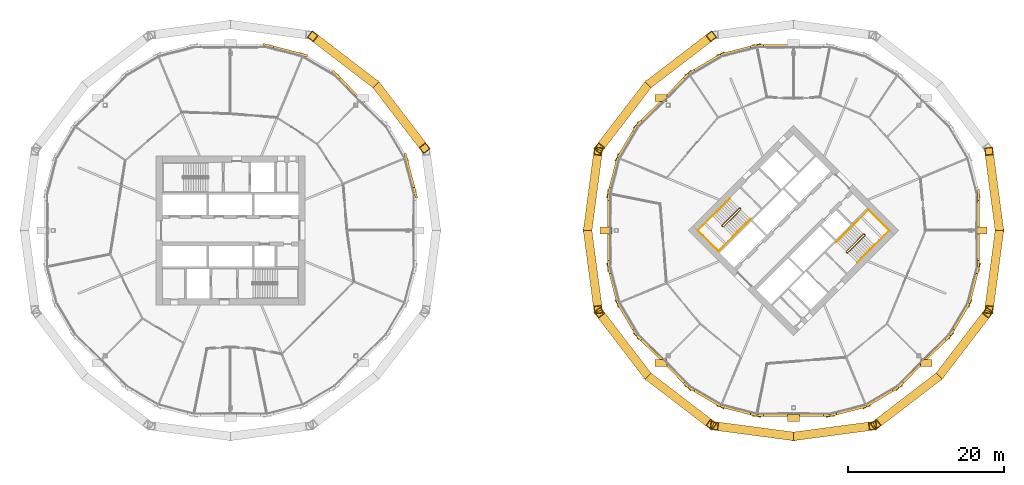
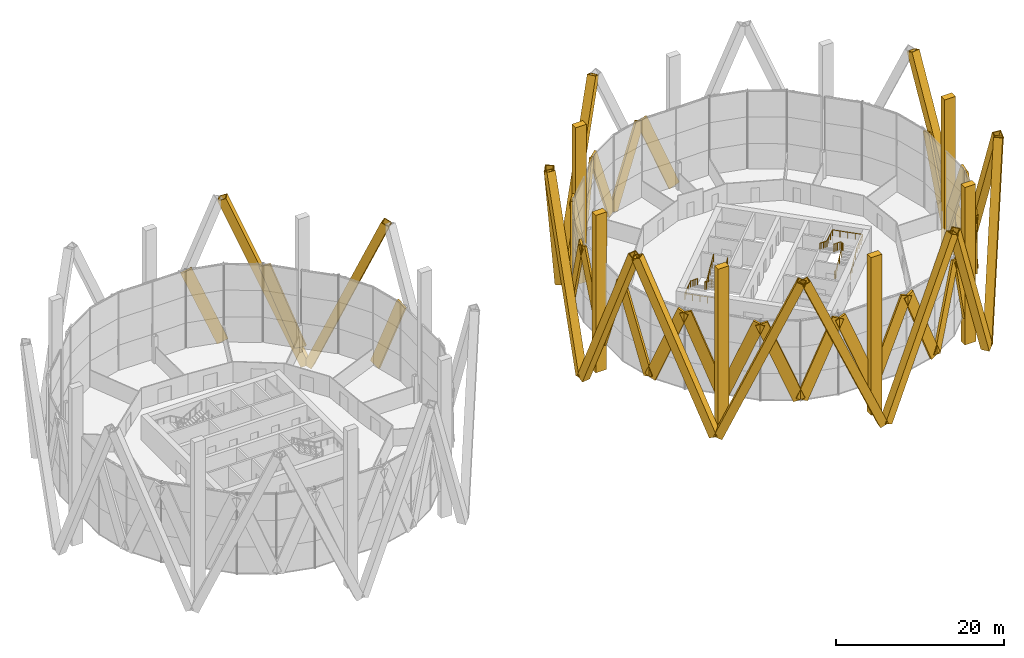
# One storey, part 25 of 26: 48 coverings, 4 railings.
"""IFC4 building model written with IfcOpenShell, lengths in metres."""

from ifc_helpers import new_model, si_unit, direction, frame, origin, origin_2d, place, context, subcontext, project, spatial, rectangle, hollow_rectangle, circle, extrude, material, material_profile, profile_set, type_object, element, save


model = new_model("IFC4")

# Units and contexts
model_context = context("Model", 3, precision=1e-05, world=origin(), true_north=direction((0.0, 1.0)))
body_context = subcontext(model_context, "Body", "Model", "MODEL_VIEW")
ifc_project = project(units=[si_unit("LENGTHUNIT", "METRE"), si_unit("AREAUNIT", "SQUARE_METRE"), si_unit("VOLUMEUNIT", "CUBIC_METRE"), si_unit("PLANEANGLEUNIT", "RADIAN"), si_unit("MASSUNIT", "GRAM", prefix="KILO")], contexts=[model_context])

# Site, building, storey
site_placement = place(None, origin())
site = spatial("IfcSite", under=ifc_project, at=site_placement, CompositionType="ELEMENT")
building_placement = place(site_placement, origin())
building = spatial("IfcBuilding", under=site, at=building_placement, Name="Ogive Gate Towers", CompositionType="ELEMENT")
storey_placement = place(building_placement, frame((0.0, 0.0, 76.199951171875)))
storey = spatial("IfcBuildingStorey", under=building, at=storey_placement, Name="L17", CompositionType="ELEMENT", Elevation=76.199951171875)

# Coverings
ifc_material_1 = material(Name="Pale metal aluminium", Category="aluminium")
ifc_material_profile_1 = material_profile(ifc_material_1, rectangle(XDim=1.5, YDim=0.89990234375, at=origin_2d()), Name="1500 x 900 pale metal aluminium")
ifc_profile_set_1 = profile_set([ifc_material_profile_1], Name="Pale metal aluminium")
covering_type_1 = type_object("IfcCoveringType", Name="Crease colonnette 1500 x 900", PredefinedType="CLADDING", material=ifc_profile_set_1)
for number, where, z_axis, x_axis, name in (
    (1, (59.989990234375, 0.0, -4.099853515625), (-0.000437109491, 0.0, 0.999999904468), (1.0, 0.0, 0.0), "Crease colonnette"),
    (2, (19.03662109375, 16.96337890625, -4.099853515625), (0.000309175006, -0.000309175006, 0.999999904411), (1.0, 0.0, 0.0), "Crease colonnette"),
    (3, (12.010009765625, 0.0, -4.099853515625), (0.000437109491, 0.0, 0.999999904468), (1.0, 0.0, 0.0), "Crease colonnette"),
    (4, (19.03662109375, -16.96337890625, -4.099853515625), (0.000309175006, 0.000309175006, 0.999999904411), (1.0, 0.0, 0.0), "Crease colonnette"),
    (5, (36.0, -23.989990234375, -4.099853515625), (0.0, 0.000437109491, 0.999999904468), (1.0, 0.0, 0.0), "Crease colonnette"),
    (6, (52.96337890625, -16.96337890625, -4.099853515625), (-0.000309175006, 0.000309175006, 0.999999904411), (1.0, 0.0, 0.0), "Crease colonnette"),
):
    element("IfcCovering", number, at=place(storey_placement, frame(where, z_axis=z_axis, x_axis=x_axis)), inside=storey, type_object=covering_type_1, Name=name, PredefinedType="CLADDING", context=body_context, shape_type="SweptSolid", body=[
        extrude(rectangle(XDim=1.5, YDim=0.89990234375, at=origin_2d()), origin(), (0.0, 0.0, 1.0), 22.89990234375),
    ])
ifc_material_2 = material(Name="Pale metal aluminium cladding", Category="aluminium")
ifc_material_profile_2 = material_profile(ifc_material_2, hollow_rectangle(XDim=1.10009765625, YDim=1.10009765625, WallThickness=0.10009765625, at=origin_2d()), Name="1100 x 1100 pale metal casing")
ifc_profile_set_2 = profile_set([ifc_material_profile_2], Name="Pale metal aluminium cladding")
covering_type_2 = type_object("IfcCoveringType", Name="Diagrid casing 1100 x 1100", PredefinedType="CLADDING", material=ifc_profile_set_2)
for number, where, z_axis, x_axis, name in (
    (7, (-17.25, 18.44580078125, -4.29443359375), (0.239952815267, -0.313039732021, 0.918928056282), (0.793660605623, 0.608360783649, 0.0), "Diagrid casing"),
    (8, (-17.55419921875, 18.75, -4.29443359375), (-0.313039732021, 0.239952815267, 0.918928056282), (-0.608360783649, -0.793660605623, 0.0), "Diagrid casing"),
    (9, (62.301513671875, -0.215087890625, -4.29443359375), (-0.051682082451, -0.391020952239, 0.918929582321), (0.991378063064, -0.131032576392, 0.0), "Diagrid casing"),
    (10, (62.301513671875, 0.215087890625, -4.29443359375), (-0.051682082451, 0.391020952239, 0.918929582321), (-0.991378063064, -0.131032576392, 0.0), "Diagrid casing"),
    (11, (17.55419921875, 18.75, -4.29443359375), (0.313039732021, 0.239952815267, 0.918928056282), (-0.608360783649, 0.793660605623, 0.0), "Diagrid casing"),
    (12, (17.25, 18.44580078125, -4.29443359375), (-0.239952815267, -0.313039732021, 0.918928056282), (0.793660605623, -0.608360783649, 0.0), "Diagrid casing"),
    (13, (9.698486328125, 0.215087890625, -4.29443359375), (0.051682082451, 0.391020952239, 0.918929582321), (-0.991378063064, 0.131032576392, 0.0), "Diagrid casing"),
    (14, (9.698486328125, -0.215087890625, -4.29443359375), (0.051682082451, -0.391020952239, 0.918929582321), (0.991378063064, 0.131032576392, 0.0), "Diagrid casing"),
    (15, (17.25, -18.44580078125, -4.29443359375), (-0.239952815267, 0.313039732021, 0.918928056282), (-0.793660605623, -0.608360783649, 0.0), "Diagrid casing"),
    (16, (17.55419921875, -18.75, -4.29443359375), (0.313039732021, -0.239952815267, 0.918928056282), (0.608360783649, 0.793660605623, 0.0), "Diagrid casing"),
    (17, (35.784912109375, -26.301513671875, -4.29443359375), (-0.391020952239, 0.051682082451, 0.918929582321), (-0.131032576392, -0.991378063064, 0.0), "Diagrid casing"),
    (18, (36.215087890625, -26.301513671875, -4.29443359375), (0.391020952239, 0.051682082451, 0.918929582321), (-0.131032576392, 0.991378063064, 0.0), "Diagrid casing"),
    (19, (54.44580078125, -18.75, -4.29443359375), (-0.313039732021, -0.239952815267, 0.918928056282), (0.608360783649, -0.793660605623, 0.0), "Diagrid casing"),
    (20, (54.75, -18.44580078125, -4.29443359375), (0.239952815267, 0.313039732021, 0.918928056282), (-0.793660605623, 0.608360783649, 0.0), "Diagrid casing"),
):
    element("IfcCovering", number, at=place(storey_placement, frame(where, z_axis=z_axis, x_axis=x_axis)), inside=storey, type_object=covering_type_2, Name=name, PredefinedType="CLADDING", context=body_context, shape_type="SweptSolid", body=[
        extrude(hollow_rectangle(XDim=1.10009765625, YDim=1.10009765625, WallThickness=0.10009765625, at=origin_2d()), origin(), (0.0, 0.0, 1.0), 25.34375),
    ])
ifc_material_profile_3 = material_profile(ifc_material_1, rectangle(XDim=0.300048828125, YDim=1.5, at=origin_2d()), Name="1500 x 300 pale metal aluminium")
ifc_profile_set_3 = profile_set([ifc_material_profile_3], Name="Pale metal aluminium")
covering_type_3 = type_object("IfcCoveringType", Name="Facade fin 1500 x 300", PredefinedType="CLADDING", material=ifc_profile_set_3)
covering_1_placement = place(storey_placement, frame((-13.501708984375, 9.164306640625, 0.032470703125), z_axis=(0.093946619678, -0.364760457467, 0.926349740281), x_axis=(0.968396120689, 0.249417227623, 0.0)))
element("IfcCovering", 21, at=covering_1_placement, inside=storey, type_object=covering_type_3, Name="Facade fin", PredefinedType="CLADDING", context=body_context, shape_type="SweptSolid", body=[
    extrude(rectangle(XDim=0.300048828125, YDim=1.5, at=origin_2d()), origin(), (0.0, 0.0, 1.0), 11.91259765625),
])
covering_2_placement = place(storey_placement, frame((-19.38232421875, 16.7734375, 0.029296875), z_axis=(-0.260935492207, 0.265778271081, 0.928048802341), x_axis=(-0.713577991802, -0.700575798622, 0.0)))
element("IfcCovering", 22, at=covering_2_placement, inside=storey, type_object=covering_type_3, Name="Facade fin", PredefinedType="CLADDING", context=body_context, shape_type="SweptSolid", body=[
    extrude(rectangle(XDim=0.300048828125, YDim=1.5, at=origin_2d()), origin(), (0.0, 0.0, 1.0), 11.8974609375),
])
covering_3_placement = place(storey_placement, frame((-26.835693359375, 22.498291015625, 0.032470703125), z_axis=(-0.364760457467, 0.093946619678, 0.926349740281), x_axis=(-0.249417227623, -0.968396120689, 0.0)))
element("IfcCovering", 23, at=covering_3_placement, inside=storey, type_object=covering_type_3, Name="Facade fin", PredefinedType="CLADDING", context=body_context, shape_type="SweptSolid", body=[
    extrude(rectangle(XDim=0.300048828125, YDim=1.5, at=origin_2d()), origin(), (0.0, 0.0, 1.0), 11.91259765625),
])
for number, where, z_axis, x_axis, name in (
    (24, (59.611083984375, 0.110107421875, 0.029296875), (0.003426855882, 0.372460246193, 0.928041821075), (-0.999957677213, 0.009200205614, 0.0), "Facade fin"),
    (25, (35.889892578125, 23.611083984375, 0.029296875), (-0.372460246193, 0.003426855882, 0.928041821075), (-0.009200205614, -0.999957677213, 0.0), "Facade fin"),
):
    element("IfcCovering", number, at=place(storey_placement, frame(where, z_axis=z_axis, x_axis=x_axis)), inside=storey, type_object=covering_type_3, Name=name, PredefinedType="CLADDING", context=body_context, shape_type="SweptSolid", body=[
        extrude(rectangle(XDim=0.300048828125, YDim=1.5, at=origin_2d()), origin(), (0.0, 0.0, 1.0), 11.897705078125),
    ])
for number, where, z_axis, x_axis, name in (
    (26, (26.835693359375, 22.498291015625, 0.032470703125), (0.364760457467, 0.093946619678, 0.926349740281), (-0.249417227623, 0.968396120689, 0.0), "Facade fin"),
    (27, (26.5712890625, 22.388916015625, 0.032470703125), (-0.324346005819, -0.191500636824, 0.92635153943), (0.508417643815, -0.861110619757, 0.0), "Facade fin"),
):
    element("IfcCovering", number, at=place(storey_placement, frame(where, z_axis=z_axis, x_axis=x_axis)), inside=storey, type_object=covering_type_3, Name=name, PredefinedType="CLADDING", context=body_context, shape_type="SweptSolid", body=[
        extrude(rectangle(XDim=0.300048828125, YDim=1.5, at=origin_2d()), origin(), (0.0, 0.0, 1.0), 11.91259765625),
    ])
for number, where, z_axis, x_axis, name in (
    (28, (19.38232421875, 16.7734375, 0.029296875), (0.260935492207, 0.265778271081, 0.928048802341), (-0.713577991802, 0.700575798622, 0.0), "Facade fin"),
    (29, (19.2265625, 16.61767578125, 0.029296875), (-0.265778271081, -0.260935492207, 0.928048802341), (0.700575798622, -0.713577991802, 0.0), "Facade fin"),
):
    element("IfcCovering", number, at=place(storey_placement, frame(where, z_axis=z_axis, x_axis=x_axis)), inside=storey, type_object=covering_type_3, Name=name, PredefinedType="CLADDING", context=body_context, shape_type="SweptSolid", body=[
        extrude(rectangle(XDim=0.300048828125, YDim=1.5, at=origin_2d()), origin(), (0.0, 0.0, 1.0), 11.8974609375),
    ])
for number, where, z_axis, x_axis, name in (
    (30, (13.611083984375, 9.4287109375, 0.032470703125), (0.191500636824, 0.324346005819, 0.92635153943), (-0.861110619757, 0.508417643815, 0.0), "Facade fin"),
    (31, (13.501708984375, 9.164306640625, 0.032470703125), (-0.093946619678, -0.364760457467, 0.926349740281), (0.968396120689, -0.249417227623, 0.0), "Facade fin"),
):
    element("IfcCovering", number, at=place(storey_placement, frame(where, z_axis=z_axis, x_axis=x_axis)), inside=storey, type_object=covering_type_3, Name=name, PredefinedType="CLADDING", context=body_context, shape_type="SweptSolid", body=[
        extrude(rectangle(XDim=0.300048828125, YDim=1.5, at=origin_2d()), origin(), (0.0, 0.0, 1.0), 11.91259765625),
    ])
for number, where, z_axis, x_axis, name in (
    (32, (12.388916015625, 0.110107421875, 0.029296875), (-0.003426855882, 0.372460246193, 0.928041821075), (-0.999957677213, -0.009200205614, 0.0), "Facade fin"),
    (33, (12.388916015625, -0.110107421875, 0.029296875), (-0.003426855882, -0.372460246193, 0.928041821075), (0.999957677213, -0.009200205614, 0.0), "Facade fin"),
):
    element("IfcCovering", number, at=place(storey_placement, frame(where, z_axis=z_axis, x_axis=x_axis)), inside=storey, type_object=covering_type_3, Name=name, PredefinedType="CLADDING", context=body_context, shape_type="SweptSolid", body=[
        extrude(rectangle(XDim=0.300048828125, YDim=1.5, at=origin_2d()), origin(), (0.0, 0.0, 1.0), 11.897705078125),
    ])
for number, where, z_axis, x_axis, name in (
    (34, (13.501708984375, -9.164306640625, 0.032470703125), (-0.093946619678, 0.364760457467, 0.926349740281), (-0.968396120689, -0.249417227623, 0.0), "Facade fin"),
    (35, (13.611083984375, -9.4287109375, 0.032470703125), (0.191500636824, -0.324346005819, 0.92635153943), (0.861110619757, 0.508417643815, 0.0), "Facade fin"),
):
    element("IfcCovering", number, at=place(storey_placement, frame(where, z_axis=z_axis, x_axis=x_axis)), inside=storey, type_object=covering_type_3, Name=name, PredefinedType="CLADDING", context=body_context, shape_type="SweptSolid", body=[
        extrude(rectangle(XDim=0.300048828125, YDim=1.5, at=origin_2d()), origin(), (0.0, 0.0, 1.0), 11.91259765625),
    ])
for number, where, z_axis, x_axis, name in (
    (36, (19.2265625, -16.61767578125, 0.029296875), (-0.265778271081, 0.260935492207, 0.928048802341), (-0.700575798622, -0.713577991802, 0.0), "Facade fin"),
    (37, (19.38232421875, -16.7734375, 0.029296875), (0.260935492207, -0.265778271081, 0.928048802341), (0.713577991802, 0.700575798622, 0.0), "Facade fin"),
):
    element("IfcCovering", number, at=place(storey_placement, frame(where, z_axis=z_axis, x_axis=x_axis)), inside=storey, type_object=covering_type_3, Name=name, PredefinedType="CLADDING", context=body_context, shape_type="SweptSolid", body=[
        extrude(rectangle(XDim=0.300048828125, YDim=1.5, at=origin_2d()), origin(), (0.0, 0.0, 1.0), 11.8974609375),
    ])
for number, where, z_axis, x_axis, name in (
    (38, (26.5712890625, -22.388916015625, 0.032470703125), (-0.324346005819, 0.191500636824, 0.92635153943), (-0.508417643815, -0.861110619757, 0.0), "Facade fin"),
    (39, (26.835693359375, -22.498291015625, 0.032470703125), (0.364760457467, -0.093946619678, 0.926349740281), (0.249417227623, 0.968396120689, 0.0), "Facade fin"),
):
    element("IfcCovering", number, at=place(storey_placement, frame(where, z_axis=z_axis, x_axis=x_axis)), inside=storey, type_object=covering_type_3, Name=name, PredefinedType="CLADDING", context=body_context, shape_type="SweptSolid", body=[
        extrude(rectangle(XDim=0.300048828125, YDim=1.5, at=origin_2d()), origin(), (0.0, 0.0, 1.0), 11.91259765625),
    ])
for number, where, z_axis, x_axis, name in (
    (40, (35.889892578125, -23.611083984375, 0.029296875), (-0.372460246193, -0.003426855882, 0.928041821075), (0.009200205614, -0.999957677213, 0.0), "Facade fin"),
    (41, (36.110107421875, -23.611083984375, 0.029296875), (0.372460246193, -0.003426855882, 0.928041821075), (0.009200205614, 0.999957677213, 0.0), "Facade fin"),
):
    element("IfcCovering", number, at=place(storey_placement, frame(where, z_axis=z_axis, x_axis=x_axis)), inside=storey, type_object=covering_type_3, Name=name, PredefinedType="CLADDING", context=body_context, shape_type="SweptSolid", body=[
        extrude(rectangle(XDim=0.300048828125, YDim=1.5, at=origin_2d()), origin(), (0.0, 0.0, 1.0), 11.897705078125),
    ])
for number, where, z_axis, x_axis, name in (
    (42, (45.164306640625, -22.498291015625, 0.032470703125), (-0.364760457467, -0.093946619678, 0.926349740281), (0.249417227623, -0.968396120689, 0.0), "Facade fin"),
    (43, (45.4287109375, -22.388916015625, 0.032470703125), (0.324346005819, 0.191500636824, 0.92635153943), (-0.508417643815, 0.861110619757, 0.0), "Facade fin"),
):
    element("IfcCovering", number, at=place(storey_placement, frame(where, z_axis=z_axis, x_axis=x_axis)), inside=storey, type_object=covering_type_3, Name=name, PredefinedType="CLADDING", context=body_context, shape_type="SweptSolid", body=[
        extrude(rectangle(XDim=0.300048828125, YDim=1.5, at=origin_2d()), origin(), (0.0, 0.0, 1.0), 11.91259765625),
    ])
for number, where, z_axis, x_axis, name in (
    (44, (52.61767578125, -16.7734375, 0.029296875), (-0.260935492207, -0.265778271081, 0.928048802341), (0.713577991802, -0.700575798622, 0.0), "Facade fin"),
    (45, (52.7734375, -16.61767578125, 0.029296875), (0.265778271081, 0.260935492207, 0.928048802341), (-0.700575798622, 0.713577991802, 0.0), "Facade fin"),
):
    element("IfcCovering", number, at=place(storey_placement, frame(where, z_axis=z_axis, x_axis=x_axis)), inside=storey, type_object=covering_type_3, Name=name, PredefinedType="CLADDING", context=body_context, shape_type="SweptSolid", body=[
        extrude(rectangle(XDim=0.300048828125, YDim=1.5, at=origin_2d()), origin(), (0.0, 0.0, 1.0), 11.8974609375),
    ])
for number, where, z_axis, x_axis, name in (
    (46, (58.388916015625, -9.4287109375, 0.032470703125), (-0.191500636824, -0.324346005819, 0.92635153943), (0.861110619757, -0.508417643815, 0.0), "Facade fin"),
    (47, (58.498291015625, -9.164306640625, 0.032470703125), (0.093946619678, 0.364760457467, 0.926349740281), (-0.968396120689, 0.249417227623, 0.0), "Facade fin"),
):
    element("IfcCovering", number, at=place(storey_placement, frame(where, z_axis=z_axis, x_axis=x_axis)), inside=storey, type_object=covering_type_3, Name=name, PredefinedType="CLADDING", context=body_context, shape_type="SweptSolid", body=[
        extrude(rectangle(XDim=0.300048828125, YDim=1.5, at=origin_2d()), origin(), (0.0, 0.0, 1.0), 11.91259765625),
    ])
covering_4_placement = place(storey_placement, frame((59.611083984375, -0.110107421875, 0.029296875), z_axis=(0.003426855882, -0.372460246193, 0.928041821075), x_axis=(0.999957677213, 0.009200205614, 0.0)))
element("IfcCovering", 48, at=covering_4_placement, inside=storey, type_object=covering_type_3, Name="Facade fin", PredefinedType="CLADDING", context=body_context, shape_type="SweptSolid", body=[
    extrude(rectangle(XDim=0.300048828125, YDim=1.5, at=origin_2d()), origin(), (0.0, 0.0, 1.0), 11.897705078125),
])

# Railings
ifc_material_3 = material(Name="Stainless steel", Category="steel")
railing_type_1 = type_object("IfcRailingType", Name="Stair guard 1100", PredefinedType="GUARDRAIL", material=ifc_material_3)
railing_1_placement = place(storey_placement, frame((29.15869140625, 2.8603515625, 0.0)))
element("IfcRailing", 49, at=railing_1_placement, inside=storey, type_object=railing_type_1, Name="L17 ST1 stair guard 1", PredefinedType="GUARDRAIL", context=body_context, shape_type="SweptSolid", body=[
    extrude(circle(Radius=0.02392578125, at=origin_2d()), frame((0.0, 0.0, 1.076171875), z_axis=(0.707106781187, -0.707106781187, 0.0), x_axis=(0.707106781187, 0.707106781187, 0.0)), (0.0, 0.0, 1.0), 0.14501953125),
    extrude(circle(Radius=0.02392578125, at=origin_2d()), frame((0.1025390625, -0.1025390625, 1.076171875), z_axis=(-0.645571447971, 0.382425963537, 0.661050594114), x_axis=(-0.509669330572, -0.860370369942, 0.0)), (0.0, 0.0, 1.0), 0.26806640625),
    extrude(circle(Radius=0.02392578125, at=origin_2d()), frame((-0.070556640625, 0.0, 1.25341796875), z_axis=(-0.61558473135, -0.61558473135, 0.49204763698), x_axis=(0.707106781187, -0.707106781187, 0.0)), (0.0, 0.0, 1.0), 3.602783203125),
    extrude(circle(Radius=0.02392578125, at=origin_2d()), frame((-2.288330078125, -2.2177734375, 3.02587890625), z_axis=(0.0, -1.0, 0.0), x_axis=(1.0, 0.0, 0.0)), (0.0, 0.0, 1.0), 0.07080078125),
    extrude(circle(Radius=0.02392578125, at=origin_2d()), frame((-2.288330078125, -2.28857421875, 3.02587890625), z_axis=(0.707106781187, -0.707106781187, 0.0), x_axis=(0.707106781187, 0.707106781187, 0.0)), (0.0, 0.0, 1.0), 0.14501953125),
    extrude(circle(Radius=0.02392578125, at=origin_2d()), frame((-2.185791015625, -2.39111328125, 3.02587890625), z_axis=(0.369406379806, 0.0, 0.92926795197), x_axis=(0.0, 1.0, 0.0)), (0.0, 0.0, 1.0), 0.19091796875),
    extrude(circle(Radius=0.02392578125, at=origin_2d()), frame((-2.115234375, -2.39111328125, 3.20361328125), z_axis=(0.61558473135, 0.61558473135, 0.49204763698), x_axis=(-0.707106781187, 0.707106781187, 0.0)), (0.0, 0.0, 1.0), 3.602783203125),
    extrude(circle(Radius=0.02099609375, at=origin_2d()), origin(), (0.0, 0.0, 1.0), 1.052001953125),
    extrude(circle(Radius=0.02099609375, at=origin_2d()), frame((0.1025390625, -0.1025390625, 0.0)), (0.0, 0.0, 1.0), 1.052001953125),
    extrude(circle(Radius=0.02099609375, at=origin_2d()), frame((-0.070556640625, 0.0, 0.17724609375)), (0.0, 0.0, 1.0), 1.052001953125),
    extrude(circle(Radius=0.02099609375, at=origin_2d()), frame((-0.625, -0.554443359375, 0.620361328125)), (0.0, 0.0, 1.0), 1.052001953125),
    extrude(circle(Radius=0.02099609375, at=origin_2d()), frame((-1.179443359375, -1.10888671875, 1.0634765625)), (0.0, 0.0, 1.0), 1.052001953125),
    extrude(circle(Radius=0.02099609375, at=origin_2d()), frame((-1.73388671875, -1.663330078125, 1.5068359375)), (0.0, 0.0, 1.0), 1.052001953125),
    extrude(circle(Radius=0.02099609375, at=origin_2d()), frame((-2.288330078125, -2.2177734375, 1.949951171875)), (0.0, 0.0, 1.0), 1.052001953125),
    extrude(circle(Radius=0.02099609375, at=origin_2d()), frame((-2.288330078125, -2.28857421875, 1.949951171875)), (0.0, 0.0, 1.0), 1.052001953125),
    extrude(circle(Radius=0.02099609375, at=origin_2d()), frame((-2.185791015625, -2.39111328125, 1.949951171875)), (0.0, 0.0, 1.0), 1.052001953125),
    extrude(circle(Radius=0.02099609375, at=origin_2d()), frame((-2.115234375, -2.39111328125, 2.12744140625)), (0.0, 0.0, 1.0), 1.052001953125),
    extrude(circle(Radius=0.02099609375, at=origin_2d()), frame((-1.560791015625, -1.836669921875, 2.570556640625)), (0.0, 0.0, 1.0), 1.052001953125),
    extrude(circle(Radius=0.02099609375, at=origin_2d()), frame((-1.00634765625, -1.2822265625, 3.013671875)), (0.0, 0.0, 1.0), 1.052001953125),
    extrude(circle(Radius=0.02099609375, at=origin_2d()), frame((-0.451904296875, -0.727783203125, 3.45703125)), (0.0, 0.0, 1.0), 1.052001953125),
    extrude(circle(Radius=0.02099609375, at=origin_2d()), frame((0.1025390625, -0.17333984375, 3.900146484375)), (0.0, 0.0, 1.0), 1.052001953125),
])
railing_2_placement = place(storey_placement, frame((42.84130859375, -2.8603515625, 0.0)))
element("IfcRailing", 50, at=railing_2_placement, inside=storey, type_object=railing_type_1, Name="L17 ST2 stair guard 1", PredefinedType="GUARDRAIL", context=body_context, shape_type="SweptSolid", body=[
    extrude(circle(Radius=0.02392578125, at=origin_2d()), frame((0.0, 0.0, 1.076171875), z_axis=(-0.707106781187, 0.707106781187, 0.0), x_axis=(-0.707106781187, -0.707106781187, 0.0)), (0.0, 0.0, 1.0), 0.14501953125),
    extrude(circle(Radius=0.02392578125, at=origin_2d()), frame((-0.1025390625, 0.1025390625, 1.076171875), z_axis=(0.645571447971, -0.382425963537, 0.661050594114), x_axis=(0.509669330572, 0.860370369942, 0.0)), (0.0, 0.0, 1.0), 0.26806640625),
    extrude(circle(Radius=0.02392578125, at=origin_2d()), frame((0.070556640625, 0.0, 1.25341796875), z_axis=(0.61558473135, 0.61558473135, 0.49204763698), x_axis=(-0.707106781187, 0.707106781187, 0.0)), (0.0, 0.0, 1.0), 3.602783203125),
    extrude(circle(Radius=0.02392578125, at=origin_2d()), frame((2.288330078125, 2.2177734375, 3.02587890625), z_axis=(0.0, 1.0, 0.0), x_axis=(-1.0, 0.0, 0.0)), (0.0, 0.0, 1.0), 0.07080078125),
    extrude(circle(Radius=0.02392578125, at=origin_2d()), frame((2.288330078125, 2.28857421875, 3.02587890625), z_axis=(-0.707106781187, 0.707106781187, 0.0), x_axis=(-0.707106781187, -0.707106781187, 0.0)), (0.0, 0.0, 1.0), 0.14501953125),
    extrude(circle(Radius=0.02392578125, at=origin_2d()), frame((2.185791015625, 2.39111328125, 3.02587890625), z_axis=(-0.369406379806, 0.0, 0.92926795197), x_axis=(0.0, -1.0, 0.0)), (0.0, 0.0, 1.0), 0.19091796875),
    extrude(circle(Radius=0.02392578125, at=origin_2d()), frame((2.115234375, 2.39111328125, 3.20361328125), z_axis=(-0.61558473135, -0.61558473135, 0.49204763698), x_axis=(0.707106781187, -0.707106781187, 0.0)), (0.0, 0.0, 1.0), 3.602783203125),
    extrude(circle(Radius=0.02099609375, at=origin_2d()), origin(), (0.0, 0.0, 1.0), 1.052001953125),
    extrude(circle(Radius=0.02099609375, at=origin_2d()), frame((-0.1025390625, 0.1025390625, 0.0)), (0.0, 0.0, 1.0), 1.052001953125),
    extrude(circle(Radius=0.02099609375, at=origin_2d()), frame((0.070556640625, 0.0, 0.17724609375)), (0.0, 0.0, 1.0), 1.052001953125),
    extrude(circle(Radius=0.02099609375, at=origin_2d()), frame((0.625, 0.554443359375, 0.620361328125)), (0.0, 0.0, 1.0), 1.052001953125),
    extrude(circle(Radius=0.02099609375, at=origin_2d()), frame((1.179443359375, 1.10888671875, 1.0634765625)), (0.0, 0.0, 1.0), 1.052001953125),
    extrude(circle(Radius=0.02099609375, at=origin_2d()), frame((1.73388671875, 1.663330078125, 1.5068359375)), (0.0, 0.0, 1.0), 1.052001953125),
    extrude(circle(Radius=0.02099609375, at=origin_2d()), frame((2.288330078125, 2.2177734375, 1.949951171875)), (0.0, 0.0, 1.0), 1.052001953125),
    extrude(circle(Radius=0.02099609375, at=origin_2d()), frame((2.288330078125, 2.28857421875, 1.949951171875)), (0.0, 0.0, 1.0), 1.052001953125),
    extrude(circle(Radius=0.02099609375, at=origin_2d()), frame((2.185791015625, 2.39111328125, 1.949951171875)), (0.0, 0.0, 1.0), 1.052001953125),
    extrude(circle(Radius=0.02099609375, at=origin_2d()), frame((2.115234375, 2.39111328125, 2.12744140625)), (0.0, 0.0, 1.0), 1.052001953125),
    extrude(circle(Radius=0.02099609375, at=origin_2d()), frame((1.560791015625, 1.836669921875, 2.570556640625)), (0.0, 0.0, 1.0), 1.052001953125),
    extrude(circle(Radius=0.02099609375, at=origin_2d()), frame((1.00634765625, 1.2822265625, 3.013671875)), (0.0, 0.0, 1.0), 1.052001953125),
    extrude(circle(Radius=0.02099609375, at=origin_2d()), frame((0.451904296875, 0.727783203125, 3.45703125)), (0.0, 0.0, 1.0), 1.052001953125),
    extrude(circle(Radius=0.02099609375, at=origin_2d()), frame((-0.1025390625, 0.17333984375, 3.900146484375)), (0.0, 0.0, 1.0), 1.052001953125),
])
railing_type_2 = type_object("IfcRailingType", Name="Stair handrail 900", PredefinedType="HANDRAIL", material=ifc_material_3)
railing_3_placement = place(storey_placement, frame((27.857666015625, 4.090576171875, 0.17724609375)))
element("IfcRailing", 51, at=railing_3_placement, inside=storey, type_object=railing_type_2, Name="L17 ST1 stair handrail 1", PredefinedType="HANDRAIL", context=body_context, shape_type="SweptSolid", body=[
    extrude(circle(Radius=0.02392578125, at=origin_2d()), frame((0.0, 0.0, 0.8759765625), z_axis=(-0.61558473135, -0.61558473135, 0.49204763698), x_axis=(0.707106781187, -0.707106781187, 0.0)), (0.0, 0.0, 1.0), 3.602783203125),
    extrude(circle(Radius=0.02392578125, at=origin_2d()), frame((-2.2177734375, -2.2177734375, 2.6484375), z_axis=(-0.707106781187, -0.707106781187, 0.0), x_axis=(0.707106781187, -0.707106781187, 0.0)), (0.0, 0.0, 1.0), 2.6484375),
    extrude(circle(Radius=0.02392578125, at=origin_2d()), frame((-4.090576171875, -4.090576171875, 2.6484375), z_axis=(0.707106781187, -0.707106781187, 0.0), x_axis=(0.707106781187, 0.707106781187, 0.0)), (0.0, 0.0, 1.0), 3.72509765625),
    extrude(circle(Radius=0.02392578125, at=origin_2d()), frame((-1.45654296875, -6.724609375, 2.6484375), z_axis=(0.705478551472, 0.705570518432, 0.066859980044), x_axis=(-0.70715286629, 0.70706069308, 0.0)), (0.0, 0.0, 1.0), 2.654541015625),
    extrude(circle(Radius=0.02392578125, at=origin_2d()), frame((0.416259765625, -4.8515625, 2.826171875), z_axis=(0.615610411033, 0.615542642384, 0.4920681632), x_axis=(-0.70706785752, 0.70714570271, 0.0)), (0.0, 0.0, 1.0), 3.6025390625),
    extrude(circle(Radius=0.02099609375, at=origin_2d()), origin(), (0.0, 0.0, 1.0), 0.851806640625),
    extrude(circle(Radius=0.02099609375, at=origin_2d()), frame((-0.554443359375, -0.554443359375, 0.443115234375)), (0.0, 0.0, 1.0), 0.851806640625),
    extrude(circle(Radius=0.02099609375, at=origin_2d()), frame((-1.10888671875, -1.10888671875, 0.88623046875)), (0.0, 0.0, 1.0), 0.851806640625),
    extrude(circle(Radius=0.02099609375, at=origin_2d()), frame((-1.663330078125, -1.663330078125, 1.32958984375)), (0.0, 0.0, 1.0), 0.851806640625),
    extrude(circle(Radius=0.02099609375, at=origin_2d()), frame((-2.2177734375, -2.2177734375, 1.772705078125)), (0.0, 0.0, 1.0), 0.851806640625),
    extrude(circle(Radius=0.02099609375, at=origin_2d()), frame((-2.842041015625, -2.842041015625, 1.772705078125)), (0.0, 0.0, 1.0), 0.851806640625),
    extrude(circle(Radius=0.02099609375, at=origin_2d()), frame((-3.46630859375, -3.46630859375, 1.772705078125)), (0.0, 0.0, 1.0), 0.851806640625),
    extrude(circle(Radius=0.02099609375, at=origin_2d()), frame((-4.090576171875, -4.090576171875, 1.772705078125)), (0.0, 0.0, 1.0), 0.851806640625),
    extrude(circle(Radius=0.02099609375, at=origin_2d()), frame((-3.43212890625, -4.7490234375, 1.772705078125)), (0.0, 0.0, 1.0), 0.851806640625),
    extrude(circle(Radius=0.02099609375, at=origin_2d()), frame((-2.7734375, -5.40771484375, 1.772705078125)), (0.0, 0.0, 1.0), 0.851806640625),
    extrude(circle(Radius=0.02099609375, at=origin_2d()), frame((-2.114990234375, -6.066162109375, 1.772705078125)), (0.0, 0.0, 1.0), 0.851806640625),
    extrude(circle(Radius=0.02099609375, at=origin_2d()), frame((-1.45654296875, -6.724609375, 1.772705078125)), (0.0, 0.0, 1.0), 0.851806640625),
    extrude(circle(Radius=0.02099609375, at=origin_2d()), frame((-0.832275390625, -6.100341796875, 1.831787109375)), (0.0, 0.0, 1.0), 0.851806640625),
    extrude(circle(Radius=0.02099609375, at=origin_2d()), frame((-0.2080078125, -5.475830078125, 1.89111328125)), (0.0, 0.0, 1.0), 0.851806640625),
    extrude(circle(Radius=0.02099609375, at=origin_2d()), frame((0.416259765625, -4.8515625, 1.9501953125)), (0.0, 0.0, 1.0), 0.851806640625),
    extrude(circle(Radius=0.02099609375, at=origin_2d()), frame((0.970703125, -4.297119140625, 2.393310546875)), (0.0, 0.0, 1.0), 0.851806640625),
    extrude(circle(Radius=0.02099609375, at=origin_2d()), frame((1.525146484375, -3.74267578125, 2.83642578125)), (0.0, 0.0, 1.0), 0.851806640625),
    extrude(circle(Radius=0.02099609375, at=origin_2d()), frame((2.07958984375, -3.1884765625, 3.27978515625)), (0.0, 0.0, 1.0), 0.851806640625),
    extrude(circle(Radius=0.02099609375, at=origin_2d()), frame((2.634033203125, -2.634033203125, 3.722900390625)), (0.0, 0.0, 1.0), 0.851806640625),
])
railing_4_placement = place(storey_placement, frame((44.142333984375, -4.090576171875, 0.17724609375)))
element("IfcRailing", 52, at=railing_4_placement, inside=storey, type_object=railing_type_2, Name="L17 ST2 stair handrail 1", PredefinedType="HANDRAIL", context=body_context, shape_type="SweptSolid", body=[
    extrude(circle(Radius=0.02392578125, at=origin_2d()), frame((0.0, 0.0, 0.8759765625), z_axis=(0.61558473135, 0.61558473135, 0.49204763698), x_axis=(-0.707106781187, 0.707106781187, 0.0)), (0.0, 0.0, 1.0), 3.602783203125),
    extrude(circle(Radius=0.02392578125, at=origin_2d()), frame((2.2177734375, 2.2177734375, 2.6484375), z_axis=(0.707106781187, 0.707106781187, 0.0), x_axis=(-0.707106781187, 0.707106781187, 0.0)), (0.0, 0.0, 1.0), 2.6484375),
    extrude(circle(Radius=0.02392578125, at=origin_2d()), frame((4.090576171875, 4.090576171875, 2.6484375), z_axis=(-0.707106781187, 0.707106781187, 0.0), x_axis=(-0.707106781187, -0.707106781187, 0.0)), (0.0, 0.0, 1.0), 3.72509765625),
    extrude(circle(Radius=0.02392578125, at=origin_2d()), frame((1.45654296875, 6.724609375, 2.6484375), z_axis=(-0.705478551472, -0.705570518432, 0.066859980044), x_axis=(0.70715286629, -0.70706069308, 0.0)), (0.0, 0.0, 1.0), 2.654541015625),
    extrude(circle(Radius=0.02392578125, at=origin_2d()), frame((-0.416259765625, 4.8515625, 2.826171875), z_axis=(-0.615610411033, -0.615542642384, 0.4920681632), x_axis=(0.70706785752, -0.70714570271, 0.0)), (0.0, 0.0, 1.0), 3.6025390625),
    extrude(circle(Radius=0.02099609375, at=origin_2d()), origin(), (0.0, 0.0, 1.0), 0.851806640625),
    extrude(circle(Radius=0.02099609375, at=origin_2d()), frame((0.554443359375, 0.554443359375, 0.443115234375)), (0.0, 0.0, 1.0), 0.851806640625),
    extrude(circle(Radius=0.02099609375, at=origin_2d()), frame((1.10888671875, 1.10888671875, 0.88623046875)), (0.0, 0.0, 1.0), 0.851806640625),
    extrude(circle(Radius=0.02099609375, at=origin_2d()), frame((1.663330078125, 1.663330078125, 1.32958984375)), (0.0, 0.0, 1.0), 0.851806640625),
    extrude(circle(Radius=0.02099609375, at=origin_2d()), frame((2.2177734375, 2.2177734375, 1.772705078125)), (0.0, 0.0, 1.0), 0.851806640625),
    extrude(circle(Radius=0.02099609375, at=origin_2d()), frame((2.842041015625, 2.842041015625, 1.772705078125)), (0.0, 0.0, 1.0), 0.851806640625),
    extrude(circle(Radius=0.02099609375, at=origin_2d()), frame((3.46630859375, 3.46630859375, 1.772705078125)), (0.0, 0.0, 1.0), 0.851806640625),
    extrude(circle(Radius=0.02099609375, at=origin_2d()), frame((4.090576171875, 4.090576171875, 1.772705078125)), (0.0, 0.0, 1.0), 0.851806640625),
    extrude(circle(Radius=0.02099609375, at=origin_2d()), frame((3.43212890625, 4.7490234375, 1.772705078125)), (0.0, 0.0, 1.0), 0.851806640625),
    extrude(circle(Radius=0.02099609375, at=origin_2d()), frame((2.7734375, 5.40771484375, 1.772705078125)), (0.0, 0.0, 1.0), 0.851806640625),
    extrude(circle(Radius=0.02099609375, at=origin_2d()), frame((2.114990234375, 6.066162109375, 1.772705078125)), (0.0, 0.0, 1.0), 0.851806640625),
    extrude(circle(Radius=0.02099609375, at=origin_2d()), frame((1.45654296875, 6.724609375, 1.772705078125)), (0.0, 0.0, 1.0), 0.851806640625),
    extrude(circle(Radius=0.02099609375, at=origin_2d()), frame((0.832275390625, 6.100341796875, 1.831787109375)), (0.0, 0.0, 1.0), 0.851806640625),
    extrude(circle(Radius=0.02099609375, at=origin_2d()), frame((0.2080078125, 5.475830078125, 1.89111328125)), (0.0, 0.0, 1.0), 0.851806640625),
    extrude(circle(Radius=0.02099609375, at=origin_2d()), frame((-0.416259765625, 4.8515625, 1.9501953125)), (0.0, 0.0, 1.0), 0.851806640625),
    extrude(circle(Radius=0.02099609375, at=origin_2d()), frame((-0.970703125, 4.297119140625, 2.393310546875)), (0.0, 0.0, 1.0), 0.851806640625),
    extrude(circle(Radius=0.02099609375, at=origin_2d()), frame((-1.525146484375, 3.74267578125, 2.83642578125)), (0.0, 0.0, 1.0), 0.851806640625),
    extrude(circle(Radius=0.02099609375, at=origin_2d()), frame((-2.07958984375, 3.1884765625, 3.27978515625)), (0.0, 0.0, 1.0), 0.851806640625),
    extrude(circle(Radius=0.02099609375, at=origin_2d()), frame((-2.634033203125, 2.634033203125, 3.722900390625)), (0.0, 0.0, 1.0), 0.851806640625),
])

save(model, "model.ifc")
